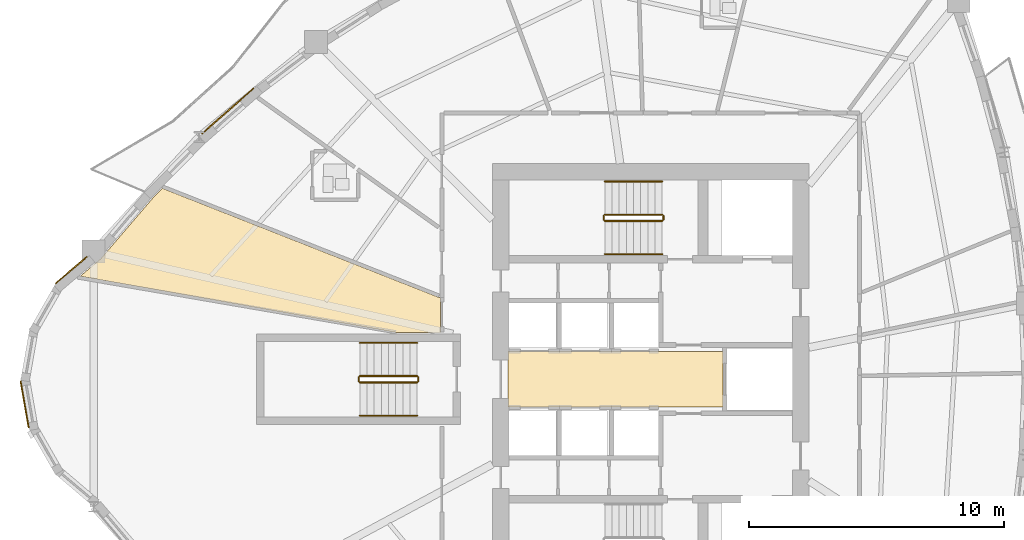
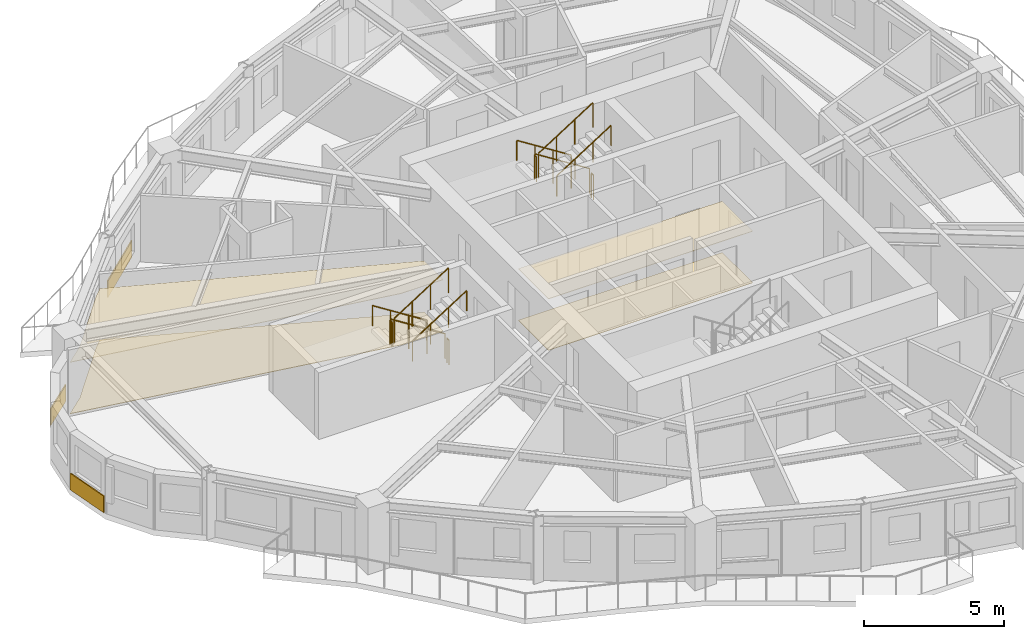
# One storey, part 10 of 12: 12 railings, 7 coverings.
"""IFC4 building model written with IfcOpenShell, lengths in metres."""

from ifc_helpers import new_model, si_unit, direction, frame, origin, origin_2d, place, context, subcontext, project, spatial, polyline, rectangle, circle, outline, extrude, source, transform, mapped, material, layer, layer_set, type_object, element, save


model = new_model("IFC4")

# Units and contexts
model_context = context("Model", 3, precision=1e-05, world=origin(), true_north=direction((0.0, 1.0)))
body_context = subcontext(model_context, "Body", "Model", "MODEL_VIEW")
ifc_project = project(units=[si_unit("LENGTHUNIT", "METRE"), si_unit("AREAUNIT", "SQUARE_METRE"), si_unit("VOLUMEUNIT", "CUBIC_METRE"), si_unit("PLANEANGLEUNIT", "RADIAN"), si_unit("MASSUNIT", "GRAM", prefix="KILO")], contexts=[model_context])

# Site, building, storey
site_placement = place(None, origin())
site = spatial("IfcSite", under=ifc_project, at=site_placement, CompositionType="ELEMENT")
building_placement = place(site_placement, origin())
building = spatial("IfcBuilding", under=site, at=building_placement, Name="Qafzar Sky-Pleat Residences", CompositionType="ELEMENT")
storey_placement = place(building_placement, frame((0.0, 0.0, 124.800048828125)))
storey = spatial("IfcBuildingStorey", under=building, at=storey_placement, Name="L37", CompositionType="ELEMENT", Elevation=124.800048828125)

# Coverings
ifc_material_1 = material(Name="Perforated acoustic gypsum board ceiling")
ifc_layer_1 = layer(ifc_material_1, 0.02001953125)
ifc_layer_set_1 = layer_set([ifc_layer_1], Name="Perforated acoustic gypsum board ceiling")
covering_type_1 = type_object("IfcCoveringType", Name="COV-CEIL-ACOUSTIC", PredefinedType="CEILING", material=ifc_layer_set_1)
covering_1_placement = place(storey_placement, frame((0.0, 0.0, 2.239990234375)))
element("IfcCovering", 1, at=covering_1_placement, inside=storey, type_object=covering_type_1, Name="L37 Passenger Lift Lobby Acoustic Ceiling", PredefinedType="CEILING", context=body_context, shape_type="SweptSolid", body=[
    extrude(outline(polyline([(33.179931640625, 24.919921875), (24.77001953125, 24.919921875), (24.77001953125, 27.080078125), (33.179931640625, 27.080078125), (33.179931640625, 24.919921875)])), origin(), (0.0, 0.0, 1.0), 0.02001953125),
])
covering_2_placement = place(storey_placement, frame((0.0, 0.0, 2.239990234375)))
element("IfcCovering", 2, at=covering_2_placement, inside=storey, type_object=covering_type_1, Name="L37 Common Dining Room Acoustic Ceiling", PredefinedType="CEILING", context=body_context, shape_type="SweptSolid", body=[
    extrude(outline(polyline([(22.110107421875, 27.8349609375), (20.379150390625, 27.8349609375), (8.004150390625, 30.036865234375), (8.804931640625, 30.71923828125), (10.82373046875, 33.074951171875), (11.221435546875, 33.478515625), (22.110107421875, 29.184814453125), (22.110107421875, 27.8349609375)])), origin(), (0.0, 0.0, 1.0), 0.02001953125),
])
ifc_material_2 = material(Name="Honed porcelain and Riyadh stone tile flooring", Category="masonry")
ifc_layer_2 = layer(ifc_material_2, 0.02001953125)
ifc_layer_set_2 = layer_set([ifc_layer_2], Name="Honed porcelain and Riyadh stone tile flooring")
covering_type_2 = type_object("IfcCoveringType", Name="COV-FLR-PORCELAIN", PredefinedType="FLOORING", material=ifc_layer_set_2)
covering_3_placement = place(storey_placement, origin())
element("IfcCovering", 3, at=covering_3_placement, inside=storey, type_object=covering_type_2, Name="L37 Passenger Lift Lobby Honed Stone Flooring", PredefinedType="FLOORING", context=body_context, shape_type="SweptSolid", body=[
    extrude(outline(polyline([(33.179931640625, 24.919921875), (24.77001953125, 24.919921875), (24.77001953125, 27.080078125), (33.179931640625, 27.080078125), (33.179931640625, 24.919921875)])), origin(), (0.0, 0.0, 1.0), 0.02001953125),
])
covering_4_placement = place(storey_placement, origin())
element("IfcCovering", 4, at=covering_4_placement, inside=storey, type_object=covering_type_2, Name="L37 Common Dining Room Honed Stone Flooring", PredefinedType="FLOORING", context=body_context, shape_type="SweptSolid", body=[
    extrude(outline(polyline([(22.110107421875, 27.8349609375), (20.379150390625, 27.8349609375), (8.004150390625, 30.036865234375), (8.804931640625, 30.71923828125), (10.82373046875, 33.074951171875), (11.221435546875, 33.478515625), (22.110107421875, 29.184814453125), (22.110107421875, 27.8349609375)])), origin(), (0.0, 0.0, 1.0), 0.02001953125),
])
ifc_material_3 = material(Name="Honed Riyadh Tuwaiq limestone cladding", Category="masonry")
ifc_layer_3 = layer(ifc_material_3, 0.044921875)
ifc_layer_set_3 = layer_set([ifc_layer_3], Name="Honed Riyadh Tuwaiq limestone cladding")
covering_type_3 = type_object("IfcCoveringType", Name="COV-CLAD-STONE", PredefinedType="CLADDING", material=ifc_layer_set_3)
shared_shape_1 = source(origin(), body_context, "Body", "SweptSolid", [
    extrude(rectangle(XDim=1.62451171875, YDim=0.044921875, at=origin_2d()), origin(), (0.0, 0.0, 1.0), 0.719970703125),
])
covering_5_placement = place(storey_placement, frame((7.652587890625, 30.2783203125, 0.02001953125), z_axis=(0.0, 0.0, 1.0), x_axis=(-0.761154082005, -0.648571093595, 0.0)))
element("IfcCovering", 5, at=covering_5_placement, inside=storey, type_object=covering_type_3, Name="L37 Riyadh Limestone Spandrel Cladding 1", PredefinedType="CLADDING", context=body_context, shape_type="MappedRepresentation", body=[
    mapped(shared_shape_1, transform((0.0, 0.0, 0.0), x_axis=(1.0, 0.0, 0.0), y_axis=(0.0, 1.0, 0.0), z_axis=(0.0, 0.0, 1.0), scale=1.0)),
])
shared_shape_2 = source(origin(), body_context, "Body", "SweptSolid", [
    extrude(rectangle(XDim=1.865478515625, YDim=0.044921875, at=origin_2d()), origin(), (0.0, 0.0, 1.0), 0.719970703125),
])
covering_6_placement = place(storey_placement, frame((5.82470703125, 25.0126953125, 0.02001953125), z_axis=(0.0, 0.0, 1.0), x_axis=(0.172169696941, -0.985067305038, 0.0)))
element("IfcCovering", 6, at=covering_6_placement, inside=storey, type_object=covering_type_3, Name="L37 Riyadh Limestone Spandrel Cladding 4", PredefinedType="CLADDING", context=body_context, shape_type="MappedRepresentation", body=[
    mapped(shared_shape_2, transform((0.0, 0.0, 0.0), x_axis=(1.0, 0.0, 0.0), y_axis=(0.0, 1.0, 0.0), z_axis=(0.0, 0.0, 1.0), scale=1.0)),
])
shared_shape_3 = source(origin(), body_context, "Body", "SweptSolid", [
    extrude(rectangle(XDim=2.690673828125, YDim=0.044921875, at=origin_2d()), origin(), (0.0, 0.0, 1.0), 0.719970703125),
])
covering_7_placement = place(storey_placement, frame((13.780517578125, 36.506591796875, 0.02001953125), z_axis=(0.0, 0.0, 1.0), x_axis=(-0.751446292476, -0.659794263027, 0.0)))
element("IfcCovering", 7, at=covering_7_placement, inside=storey, type_object=covering_type_3, Name="L37 Riyadh Limestone Spandrel Cladding 46", PredefinedType="CLADDING", context=body_context, shape_type="MappedRepresentation", body=[
    mapped(shared_shape_3, transform((0.0, 0.0, 0.0), x_axis=(1.0, 0.0, 0.0), y_axis=(0.0, 1.0, 0.0), z_axis=(0.0, 0.0, 1.0), scale=1.0)),
])

# Railings
ifc_material_4 = material(Name="Painted Steel S355 stair guardrail", Category="steel")
railing_type_1 = type_object("IfcRailingType", Name="RAIL-STAIR-GUARD", PredefinedType="GUARDRAIL", material=ifc_material_4)
shared_shape_4 = source(origin(), body_context, "Body", "SweptSolid", [
    extrude(circle(Radius=0.02392578125, at=origin_2d()), frame((0.0, 0.0, 1.076171875), z_axis=(0.0, -1.0, 0.0), x_axis=(1.0, 0.0, 0.0)), (0.0, 0.0, 1.0), 0.14990234375),
    extrude(circle(Radius=0.02099609375, at=origin_2d()), origin(), (0.0, 0.0, 1.0), 1.052001953125),
    extrude(circle(Radius=0.02099609375, at=origin_2d()), frame((0.0, -0.14990234375, 0.0)), (0.0, 0.0, 1.0), 1.052001953125),
])
for number, where, name in (
    (8, (28.510009765625, 32.39990234375, 1.599853515625), "L37 ST2 stair guard 2"),
    (9, (30.85009765625, 32.39990234375, 0.0), "L37 ST2 stair guard 4"),
    (10, (18.909912109375, 26.074951171875, 1.599853515625), "L37 ST3 stair guard 2"),
    (11, (21.25, 26.074951171875, 0.0), "L37 ST3 stair guard 4"),
):
    element("IfcRailing", number, at=place(storey_placement, frame(where)), inside=storey, type_object=railing_type_1, Name=name, PredefinedType="GUARDRAIL", context=body_context, shape_type="MappedRepresentation", body=[
        mapped(shared_shape_4, transform((0.0, 0.0, 0.0), x_axis=(1.0, 0.0, 0.0), y_axis=(0.0, 1.0, 0.0), z_axis=(0.0, 0.0, 1.0), scale=1.0)),
    ])
shared_shape_5 = source(origin(), body_context, "Body", "SweptSolid", [
    extrude(circle(Radius=0.02392578125, at=origin_2d()), frame((0.0, 0.0, 1.076171875), z_axis=(-0.8442293374, 0.0, 0.53598211339), x_axis=(0.0, -1.0, 0.0)), (0.0, 0.0, 1.0), 2.6533203125),
    extrude(circle(Radius=0.02099609375, at=origin_2d()), origin(), (0.0, 0.0, 1.0), 1.052001953125),
    extrude(circle(Radius=0.02099609375, at=origin_2d()), frame((-0.74658203125, 0.0, 0.47412109375)), (0.0, 0.0, 1.0), 1.052001953125),
    extrude(circle(Radius=0.02099609375, at=origin_2d()), frame((-1.493408203125, 0.0, 0.947998046875)), (0.0, 0.0, 1.0), 1.052001953125),
    extrude(circle(Radius=0.02099609375, at=origin_2d()), frame((-2.239990234375, 0.0, 1.422119140625)), (0.0, 0.0, 1.0), 1.052001953125),
])
for number, where, name in (
    (12, (30.800048828125, 32.449951171875, 0.177734375), "L37 ST2 stair guard 1"),
    (13, (21.199951171875, 26.125, 0.177734375), "L37 ST3 stair guard 1"),
):
    element("IfcRailing", number, at=place(storey_placement, frame(where)), inside=storey, type_object=railing_type_1, Name=name, PredefinedType="GUARDRAIL", context=body_context, shape_type="MappedRepresentation", body=[
        mapped(shared_shape_5, transform((0.0, 0.0, 0.0), x_axis=(1.0, 0.0, 0.0), y_axis=(0.0, 1.0, 0.0), z_axis=(0.0, 0.0, 1.0), scale=1.0)),
    ])
shared_shape_6 = source(origin(), body_context, "Body", "SweptSolid", [
    extrude(circle(Radius=0.02392578125, at=origin_2d()), frame((0.0, 0.0, 1.076171875), z_axis=(0.8442293374, 0.0, 0.53598211339), x_axis=(0.0, 1.0, 0.0)), (0.0, 0.0, 1.0), 2.6533203125),
    extrude(circle(Radius=0.02099609375, at=origin_2d()), origin(), (0.0, 0.0, 1.0), 1.052001953125),
    extrude(circle(Radius=0.02099609375, at=origin_2d()), frame((0.74658203125, 0.0, 0.47412109375)), (0.0, 0.0, 1.0), 1.052001953125),
    extrude(circle(Radius=0.02099609375, at=origin_2d()), frame((1.493408203125, 0.0, 0.947998046875)), (0.0, 0.0, 1.0), 1.052001953125),
    extrude(circle(Radius=0.02099609375, at=origin_2d()), frame((2.239990234375, 0.0, 1.422119140625)), (0.0, 0.0, 1.0), 1.052001953125),
])
for number, where, name in (
    (14, (28.56005859375, 32.199951171875, 1.77783203125), "L37 ST2 stair guard 3"),
    (15, (18.9599609375, 25.875, 1.77783203125), "L37 ST3 stair guard 3"),
):
    element("IfcRailing", number, at=place(storey_placement, frame(where)), inside=storey, type_object=railing_type_1, Name=name, PredefinedType="GUARDRAIL", context=body_context, shape_type="MappedRepresentation", body=[
        mapped(shared_shape_6, transform((0.0, 0.0, 0.0), x_axis=(1.0, 0.0, 0.0), y_axis=(0.0, 1.0, 0.0), z_axis=(0.0, 0.0, 1.0), scale=1.0)),
    ])
ifc_material_5 = material(Name="Brushed stainless steel handrail", Category="steel")
railing_type_2 = type_object("IfcRailingType", Name="RAIL-STAIR-HAND", PredefinedType="HANDRAIL", material=ifc_material_5)
shared_shape_7 = source(origin(), body_context, "Body", "SweptSolid", [
    extrude(circle(Radius=0.02392578125, at=origin_2d()), frame((0.0, 0.0, 0.8759765625), z_axis=(-0.8442293374, 0.0, 0.53598211339), x_axis=(0.0, -1.0, 0.0)), (0.0, 0.0, 1.0), 2.6533203125),
    extrude(circle(Radius=0.02099609375, at=origin_2d()), origin(), (0.0, 0.0, 1.0), 0.851806640625),
    extrude(circle(Radius=0.02099609375, at=origin_2d()), frame((-0.74658203125, 0.0, 0.47412109375)), (0.0, 0.0, 1.0), 0.851806640625),
    extrude(circle(Radius=0.02099609375, at=origin_2d()), frame((-1.493408203125, 0.0, 0.947998046875)), (0.0, 0.0, 1.0), 0.851806640625),
    extrude(circle(Radius=0.02099609375, at=origin_2d()), frame((-2.239990234375, 0.0, 1.422119140625)), (0.0, 0.0, 1.0), 0.851806640625),
])
for number, where, name in (
    (16, (30.800048828125, 33.75, 0.177734375), "L37 ST2 stair handrail 1"),
    (17, (21.199951171875, 27.425048828125, 0.177734375), "L37 ST3 stair handrail 1"),
):
    element("IfcRailing", number, at=place(storey_placement, frame(where)), inside=storey, type_object=railing_type_2, Name=name, PredefinedType="HANDRAIL", context=body_context, shape_type="MappedRepresentation", body=[
        mapped(shared_shape_7, transform((0.0, 0.0, 0.0), x_axis=(1.0, 0.0, 0.0), y_axis=(0.0, 1.0, 0.0), z_axis=(0.0, 0.0, 1.0), scale=1.0)),
    ])
shared_shape_8 = source(origin(), body_context, "Body", "SweptSolid", [
    extrude(circle(Radius=0.02392578125, at=origin_2d()), frame((0.0, 0.0, 0.8759765625), z_axis=(0.8442293374, 0.0, 0.53598211339), x_axis=(0.0, 1.0, 0.0)), (0.0, 0.0, 1.0), 2.6533203125),
    extrude(circle(Radius=0.02099609375, at=origin_2d()), origin(), (0.0, 0.0, 1.0), 0.851806640625),
    extrude(circle(Radius=0.02099609375, at=origin_2d()), frame((0.74658203125, 0.0, 0.47412109375)), (0.0, 0.0, 1.0), 0.851806640625),
    extrude(circle(Radius=0.02099609375, at=origin_2d()), frame((1.493408203125, 0.0, 0.947998046875)), (0.0, 0.0, 1.0), 0.851806640625),
    extrude(circle(Radius=0.02099609375, at=origin_2d()), frame((2.239990234375, 0.0, 1.422119140625)), (0.0, 0.0, 1.0), 0.851806640625),
])
for number, where, name in (
    (18, (28.56005859375, 30.89990234375, 1.77783203125), "L37 ST2 stair handrail 2"),
    (19, (18.9599609375, 24.574951171875, 1.77783203125), "L37 ST3 stair handrail 2"),
):
    element("IfcRailing", number, at=place(storey_placement, frame(where)), inside=storey, type_object=railing_type_2, Name=name, PredefinedType="HANDRAIL", context=body_context, shape_type="MappedRepresentation", body=[
        mapped(shared_shape_8, transform((0.0, 0.0, 0.0), x_axis=(1.0, 0.0, 0.0), y_axis=(0.0, 1.0, 0.0), z_axis=(0.0, 0.0, 1.0), scale=1.0)),
    ])

save(model, "model.ifc")
